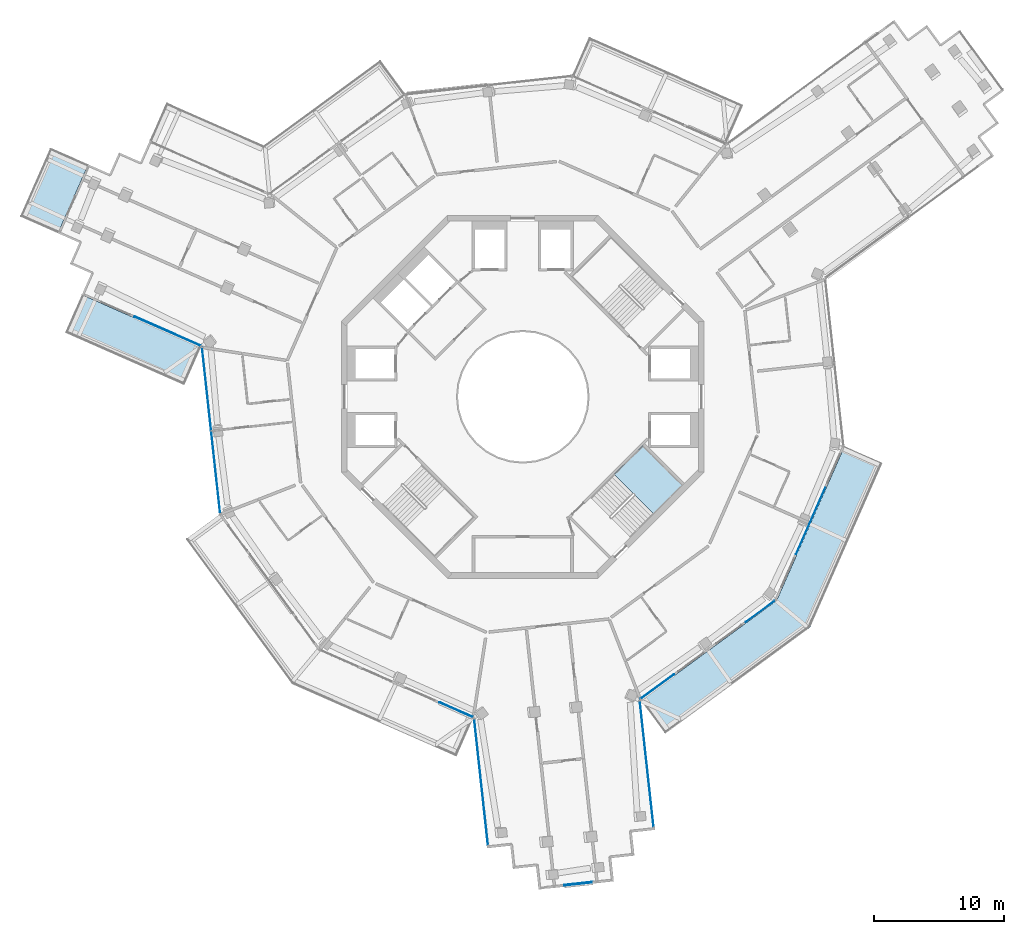
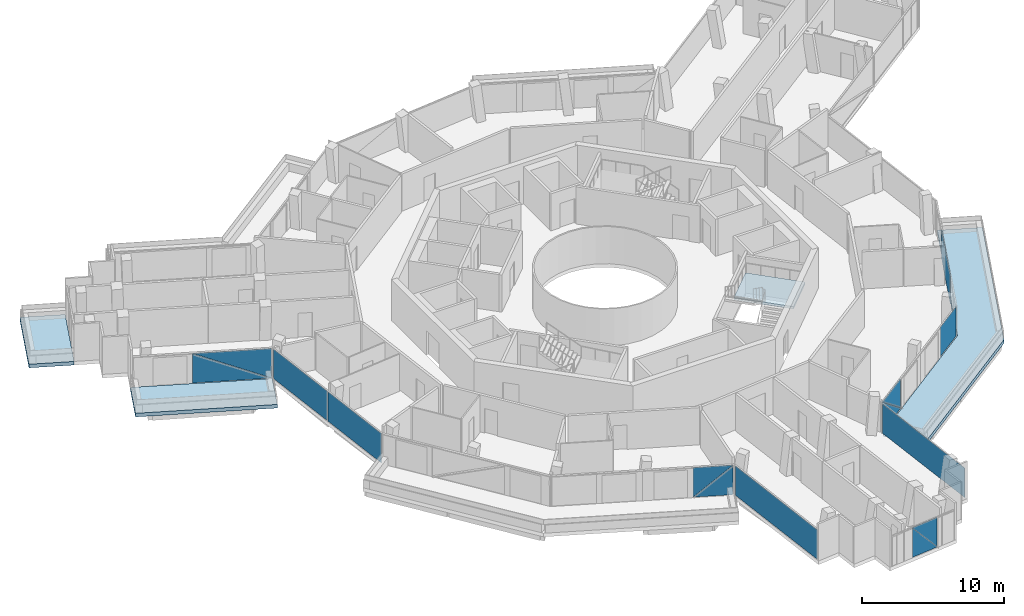
# One storey, part 12 of 24: 14 plates, 4 slabs, 9 elements without a shape of their own.
"""IFC4 building model written with IfcOpenShell, lengths in metres."""

from ifc_helpers import new_model, si_unit, direction, frame, origin, origin_2d, place, context, subcontext, project, spatial, polyline, rectangle, outline, extrude, material, layer, layer_set, type_object, element, aggregate, save


model = new_model("IFC4")

# Units and contexts
model_context = context("Model", 3, precision=1e-05, world=origin(), true_north=direction((0.0, 1.0)))
body_context = subcontext(model_context, "Body", "Model", "MODEL_VIEW")
ifc_project = project(units=[si_unit("LENGTHUNIT", "METRE"), si_unit("AREAUNIT", "SQUARE_METRE"), si_unit("VOLUMEUNIT", "CUBIC_METRE"), si_unit("PLANEANGLEUNIT", "RADIAN"), si_unit("MASSUNIT", "GRAM", prefix="KILO")], contexts=[model_context])

# Site, building, storey
site_placement = place(None, origin())
site = spatial("IfcSite", under=ifc_project, at=site_placement, CompositionType="ELEMENT")
building_placement = place(site_placement, origin())
building = spatial("IfcBuilding", under=site, at=building_placement, Name="Verdalira Terraces Hotel", CompositionType="ELEMENT")
storey_placement = place(building_placement, frame((0.0, 0.0, 303.0)))
storey = spatial("IfcBuildingStorey", under=building, at=storey_placement, Name="L75", CompositionType="ELEMENT", Elevation=303.0)

# Slabs
ifc_material_1 = material(Name="Precast concrete C40/50", Category="concrete")
ifc_layer_1 = layer(ifc_material_1, 0.31005859375)
ifc_layer_set_1 = layer_set([ifc_layer_1], Name="Balcony deck 310")
slab_type_1 = type_object("IfcSlabType", Name="Balcony deck 310", PredefinedType="FLOOR", material=ifc_layer_set_1)
slab_1_placement = place(storey_placement, frame((0.0, 0.0, -0.310059)))
element("IfcSlab", 1, at=slab_1_placement, inside=storey, type_object=slab_type_1, Name="Balcony deck", PredefinedType="FLOOR", context=body_context, shape_type="SweptSolid", body=[
    extrude(outline(polyline([(-38.788086, 13.906738), (-35.859375, 12.617432), (-33.522461, 17.925781), (-36.451172, 19.215088), (-38.788086, 13.906738)])), origin(), (0.0, 0.0, 1.0), 0.310059),
])
slab_2_placement = place(storey_placement, frame((0.0, 0.0, -0.310059)))
element("IfcSlab", 2, at=slab_2_placement, inside=storey, type_object=slab_type_1, Name="Balcony deck", PredefinedType="FLOOR", context=body_context, shape_type="SweptSolid", body=[
    extrude(outline(polyline([(-26.110352, 0.895996), (-24.821045, 3.824707), (-34.014893, 7.87207), (-35.304199, 4.943359), (-26.110352, 0.895996)])), origin(), (0.0, 0.0, 1.0), 0.310059),
])
slab_3_placement = place(storey_placement, frame((0.0, 0.0, -0.310059)))
element("IfcSlab", 3, at=slab_3_placement, inside=storey, type_object=slab_type_1, Name="Balcony deck", PredefinedType="FLOOR", context=body_context, shape_type="SweptSolid", body=[
    extrude(outline(polyline([(27.75, -5.114014), (24.821045, -3.824707), (19.583252, -15.7229), (9.098145, -23.408203), (10.98999, -25.989014), (22.166748, -17.796875), (27.75, -5.114014)])), origin(), (0.0, 0.0, 1.0), 0.310059),
])

# Curtain wall, plates
ifc_material_2 = material(Name="Clear glass", Category="glass")
ifc_layer_2 = layer(ifc_material_2, 0.14990234375)
ifc_layer_set_2 = layer_set([ifc_layer_2], Name="CW1 curtain wall")
curtain_wall_type_1 = type_object("IfcCurtainWallType", Name="CW1 curtain wall", PredefinedType="NOTDEFINED", material=ifc_layer_set_2)
curtain_wall_1_placement = place(storey_placement, origin())
curtain_wall_1 = element("IfcCurtainWall", 4, at=curtain_wall_1_placement, inside=storey, type_object=curtain_wall_type_1, Name="CW1 curtain wall L75 edge 11", PredefinedType="NOTDEFINED")
ifc_material_3 = material(Name="Clear glass", Category="glass")
ifc_layer_3 = layer(ifc_material_3, 0.028076171875)
ifc_layer_set_3 = layer_set([ifc_layer_3], Name="CW1 glass unit 28")
plate_type_1 = type_object("IfcPlateType", Name="CW1 glass unit 28", PredefinedType="CURTAIN_PANEL", material=ifc_layer_set_3)
plate_1_placement = place(storey_placement, frame((-24.391602, 0.587158, 0.0), z_axis=(0.0, 0.0, 1.0), x_axis=(0.108693378, -0.994075324, 0.0)))
plate_1 = element("IfcPlate", 5, at=plate_1_placement, type_object=plate_type_1, Name="CW1 glass unit", PredefinedType="CURTAIN_PANEL", context=body_context, shape_type="SweptSolid", body=[
    extrude(rectangle(XDim=6.409912, YDim=0.028076, at=origin_2d()), origin(), (0.0, 0.0, 1.0), 2.524902),
])
plate_2_placement = place(storey_placement, frame((-23.690674, -5.824463, 0.0), z_axis=(0.0, 0.0, 1.0), x_axis=(0.108693378, -0.994075324, 0.0)))
plate_2 = element("IfcPlate", 6, at=plate_2_placement, type_object=plate_type_1, Name="CW1 glass unit", PredefinedType="CURTAIN_PANEL", context=body_context, shape_type="SweptSolid", body=[
    extrude(rectangle(XDim=6.369873, YDim=0.028076, at=origin_2d()), origin(), (0.0, 0.0, 1.0), 2.524902),
])
aggregate(curtain_wall_1, [plate_1, plate_2])

curtain_wall_2_placement = place(storey_placement, origin())
curtain_wall_2 = element("IfcCurtainWall", 7, at=curtain_wall_2_placement, inside=storey, type_object=curtain_wall_type_1, Name="CW1 curtain wall L75 edge 13", PredefinedType="NOTDEFINED")
plate_3_placement = place(storey_placement, frame((-5.138428, -24.145508, 1.262451), z_axis=(-0.402906436, -0.915241173, 0.0), x_axis=(0.915241173, -0.402906436, 0.0)))
plate_3 = element("IfcPlate", 8, at=plate_3_placement, type_object=plate_type_1, Name="CW1 glass unit", PredefinedType="CURTAIN_PANEL", context=body_context, shape_type="SweptSolid", body=[
    extrude(outline(polyline([(-1.414307, -1.262451), (1.414307, -1.262451), (1.414307, 1.262451), (-1.414307, -1.262451)])), origin(), (0.0, 0.0, 1.0), 0.028076),
])
plate_4_placement = place(storey_placement, frame((-5.126709, -24.118896, 1.262451), z_axis=(-0.402906436, -0.915241173, 0.0), x_axis=(0.915241173, -0.402906436, 0.0)))
plate_4 = element("IfcPlate", 9, at=plate_4_placement, type_object=plate_type_1, Name="CW1 glass unit", PredefinedType="CURTAIN_PANEL", context=body_context, shape_type="SweptSolid", body=[
    extrude(outline(polyline([(-1.414307, -1.262451), (1.414307, 1.262451), (-1.414307, 1.262451), (-1.414307, -1.262451)])), origin(), (0.0, 0.0, 1.0), 0.028076),
])
aggregate(curtain_wall_2, [plate_3, plate_4])

curtain_wall_3_placement = place(storey_placement, origin())
curtain_wall_3 = element("IfcCurtainWall", 10, at=curtain_wall_3_placement, inside=storey, type_object=curtain_wall_type_1, Name="CW1 curtain wall L75 edge 25", PredefinedType="NOTDEFINED")
plate_5_placement = place(storey_placement, frame((10.380371, -22.35791, 1.262451), z_axis=(0.591168888, -0.806547795, 0.0), x_axis=(0.806547795, 0.591168888, 0.0)))
plate_5 = element("IfcPlate", 11, at=plate_5_placement, type_object=plate_type_1, Name="CW1 glass unit", PredefinedType="CURTAIN_PANEL", context=body_context, shape_type="SweptSolid", body=[
    extrude(outline(polyline([(-1.594971, -1.262451), (1.594971, -1.262451), (-1.594971, 1.262451), (-1.594971, -1.262451)])), origin(), (0.0, 0.0, 1.0), 0.028076),
])
plate_6_placement = place(storey_placement, frame((10.363281, -22.334473, 1.262451), z_axis=(0.591168888, -0.806547795, 0.0), x_axis=(0.806547795, 0.591168888, 0.0)))
plate_6 = element("IfcPlate", 12, at=plate_6_placement, type_object=plate_type_1, Name="CW1 glass unit", PredefinedType="CURTAIN_PANEL", context=body_context, shape_type="SweptSolid", body=[
    extrude(outline(polyline([(1.594971, -1.262451), (1.594971, 1.262451), (-1.594971, 1.262451), (1.594971, -1.262451)])), origin(), (0.0, 0.0, 1.0), 0.028076),
])
plate_7_placement = place(storey_placement, frame((18.33374, -16.545898, 0.0), z_axis=(0.0, 0.0, 1.0), x_axis=(0.806547795, 0.591168888, 0.0)))
plate_7 = element("IfcPlate", 13, at=plate_7_placement, type_object=plate_type_1, Name="CW1 glass unit", PredefinedType="CURTAIN_PANEL", context=body_context, shape_type="SweptSolid", body=[
    extrude(rectangle(XDim=2.788574, YDim=0.028076, at=origin_2d()), origin(), (0.0, 0.0, 1.0), 2.524902),
])
aggregate(curtain_wall_3, [plate_5, plate_6, plate_7])

# Curtain wall, plate
curtain_wall_4_placement = place(storey_placement, origin())
curtain_wall_4 = element("IfcCurtainWall", 14, at=curtain_wall_4_placement, inside=storey, type_object=curtain_wall_type_1, Name="CW1 curtain wall L75 edge 26", PredefinedType="NOTDEFINED")
plate_8_placement = place(storey_placement, frame((22.206055, -9.578857, 0.0), z_axis=(0.0, 0.0, 1.0), x_axis=(0.402906436, 0.915241173, 0.0)))
plate_8 = element("IfcPlate", 15, at=plate_8_placement, type_object=plate_type_1, Name="CW1 glass unit", PredefinedType="CURTAIN_PANEL", context=body_context, shape_type="SweptSolid", body=[
    extrude(rectangle(XDim=5.586182, YDim=0.028076, at=origin_2d()), origin(), (0.0, 0.0, 1.0), 2.524902),
])
aggregate(curtain_wall_4, [plate_8])

# Curtain wall, plates
ifc_material_4 = material(Name="Clear glass", Category="glass")
ifc_layer_4 = layer(ifc_material_4, 0.14990234375)
ifc_layer_set_4 = layer_set([ifc_layer_4], Name="CW2 curtain wall")
curtain_wall_type_2 = type_object("IfcCurtainWallType", Name="CW2 curtain wall", PredefinedType="NOTDEFINED", material=ifc_layer_set_4)
curtain_wall_5_placement = place(storey_placement, origin())
curtain_wall_5 = element("IfcCurtainWall", 16, at=curtain_wall_5_placement, inside=storey, type_object=curtain_wall_type_2, Name="CW2 curtain wall L75 edge 10", PredefinedType="NOTDEFINED")
ifc_material_5 = material(Name="Clear glass", Category="glass")
ifc_layer_5 = layer(ifc_material_5, 0.031982421875)
ifc_layer_set_5 = layer_set([ifc_layer_5], Name="CW2 glass unit 32")
plate_type_2 = type_object("IfcPlateType", Name="CW2 glass unit 32", PredefinedType="CURTAIN_PANEL", material=ifc_layer_set_5)
plate_9_placement = place(storey_placement, frame((-27.399902, 5.059326, 1.262451), z_axis=(-0.402906436, -0.915241173, 0.0), x_axis=(0.915241173, -0.402906436, 0.0)))
plate_9 = element("IfcPlate", 17, at=plate_9_placement, type_object=plate_type_2, Name="CW2 glass unit", PredefinedType="CURTAIN_PANEL", context=body_context, shape_type="SweptSolid", body=[
    extrude(outline(polyline([(-2.787598, -1.262451), (2.787598, -1.262451), (-2.787598, 1.262451), (-2.787598, -1.262451)])), origin(), (0.0, 0.0, 1.0), 0.031982),
])
plate_10_placement = place(storey_placement, frame((-27.386475, 5.0896, 1.262451), z_axis=(-0.402906436, -0.915241173, 0.0), x_axis=(0.915241173, -0.402906436, 0.0)))
plate_10 = element("IfcPlate", 18, at=plate_10_placement, type_object=plate_type_2, Name="CW2 glass unit", PredefinedType="CURTAIN_PANEL", context=body_context, shape_type="SweptSolid", body=[
    extrude(outline(polyline([(2.787598, -1.262451), (2.787598, 1.262451), (-2.787598, 1.262451), (2.787598, -1.262451)])), origin(), (0.0, 0.0, 1.0), 0.031982),
])
aggregate(curtain_wall_5, [plate_9, plate_10])

# Curtain wall, plate
curtain_wall_6_placement = place(storey_placement, origin())
curtain_wall_6 = element("IfcCurtainWall", 19, at=curtain_wall_6_placement, inside=storey, type_object=curtain_wall_type_2, Name="CW2 curtain wall L75 edge 14", PredefinedType="NOTDEFINED")
plate_11_placement = place(storey_placement, frame((-3.212402, -29.731201, 0.0), z_axis=(0.0, 0.0, 1.0), x_axis=(0.108693378, -0.994075324, 0.0)))
plate_11 = element("IfcPlate", 20, at=plate_11_placement, type_object=plate_type_2, Name="CW2 glass unit", PredefinedType="CURTAIN_PANEL", context=body_context, shape_type="SweptSolid", body=[
    extrude(rectangle(XDim=9.755127, YDim=0.031982, at=origin_2d()), origin(), (0.0, 0.0, 1.0), 2.524902),
])
aggregate(curtain_wall_6, [plate_11])

curtain_wall_7_placement = place(storey_placement, origin())
curtain_wall_7 = element("IfcCurtainWall", 21, at=curtain_wall_7_placement, inside=storey, type_object=curtain_wall_type_2, Name="CW2 curtain wall L75 edge 24", PredefinedType="NOTDEFINED")
plate_12_placement = place(storey_placement, frame((9.561523, -28.334473, 0.0), z_axis=(0.0, 0.0, 1.0), x_axis=(-0.108693378, 0.994075324, 0.0)))
plate_12 = element("IfcPlate", 22, at=plate_12_placement, type_object=plate_type_2, Name="CW2 glass unit", PredefinedType="CURTAIN_PANEL", context=body_context, shape_type="SweptSolid", body=[
    extrude(rectangle(XDim=9.755127, YDim=0.031982, at=origin_2d()), origin(), (0.0, 0.0, 1.0), 2.524902),
])
aggregate(curtain_wall_7, [plate_12])

# Curtain wall, plates
ifc_material_6 = material(Name="Clear glass", Category="glass")
ifc_layer_6 = layer(ifc_material_6, 0.14990234375)
ifc_layer_set_6 = layer_set([ifc_layer_6], Name="CW3 curtain wall")
curtain_wall_type_3 = type_object("IfcCurtainWallType", Name="CW3 curtain wall", PredefinedType="NOTDEFINED", material=ifc_layer_set_6)
curtain_wall_8_placement = place(storey_placement, origin())
curtain_wall_8 = element("IfcCurtainWall", 23, at=curtain_wall_8_placement, inside=storey, type_object=curtain_wall_type_3, Name="CW3 curtain wall L75 edge 19", PredefinedType="NOTDEFINED")
ifc_material_7 = material(Name="Clear glass", Category="glass")
ifc_layer_7 = layer(ifc_material_7, 0.035888671875)
ifc_layer_set_7 = layer_set([ifc_layer_7], Name="CW3 glass unit 36")
plate_type_3 = type_object("IfcPlateType", Name="CW3 glass unit 36", PredefinedType="CURTAIN_PANEL", material=ifc_layer_set_7)
plate_13_placement = place(storey_placement, frame((4.297607, -37.566162, 1.262451), z_axis=(0.108693378, -0.994075324, 0.0), x_axis=(0.994075324, 0.108693378, 0.0)))
plate_13 = element("IfcPlate", 24, at=plate_13_placement, type_object=plate_type_3, Name="CW3 glass unit", PredefinedType="CURTAIN_PANEL", context=body_context, shape_type="SweptSolid", body=[
    extrude(outline(polyline([(-1.094727, -1.262451), (1.094727, -1.262451), (-1.094727, 1.262451), (-1.094727, -1.262451)])), origin(), (0.0, 0.0, 1.0), 0.035889),
])
plate_14_placement = place(storey_placement, frame((4.293457, -37.529297, 1.262451), z_axis=(0.108693378, -0.994075324, 0.0), x_axis=(0.994075324, 0.108693378, 0.0)))
plate_14 = element("IfcPlate", 25, at=plate_14_placement, type_object=plate_type_3, Name="CW3 glass unit", PredefinedType="CURTAIN_PANEL", context=body_context, shape_type="SweptSolid", body=[
    extrude(outline(polyline([(1.094727, -1.262451), (1.094727, 1.262451), (-1.094727, 1.262451), (1.094727, -1.262451)])), origin(), (0.0, 0.0, 1.0), 0.035889),
])
aggregate(curtain_wall_8, [plate_13, plate_14])

# Stair, slab
ifc_material_8 = material(Name="Concrete C40", Category="concrete")
stair_type = type_object("IfcStairType", Name="Core stair 20 risers 2125 mm wide", PredefinedType="HALF_TURN_STAIR", material=ifc_material_8)
stair_placement = place(storey_placement, origin())
stair = element("IfcStair", 26, at=stair_placement, inside=storey, type_object=stair_type, Name="L75 Exit stair ST3", PredefinedType="HALF_TURN_STAIR")
ifc_material_9 = material(Name="Concrete C40", Category="concrete")
ifc_layer_8 = layer(ifc_material_9, 0.199951171875)
ifc_layer_set_8 = layer_set([ifc_layer_8], Name="Core stair landing 200 mm")
slab_type_2 = type_object("IfcSlabType", Name="Core stair landing 200 mm", PredefinedType="LANDING", material=ifc_layer_set_8)
slab_4_placement = place(storey_placement, frame((0.0, 0.0, 1.550049)))
slab_4 = element("IfcSlab", 27, at=slab_4_placement, type_object=slab_type_2, Name="ST3 landing 1", PredefinedType="LANDING", context=body_context, shape_type="SweptSolid", body=[
    extrude(outline(polyline([(10.107666, -9.054932), (12.339111, -6.823486), (9.263184, -3.747559), (7.031738, -5.979004), (10.107666, -9.054932)])), origin(), (0.0, 0.0, 1.0), 0.199951),
])
aggregate(stair, [slab_4])

save(model, "model.ifc")
